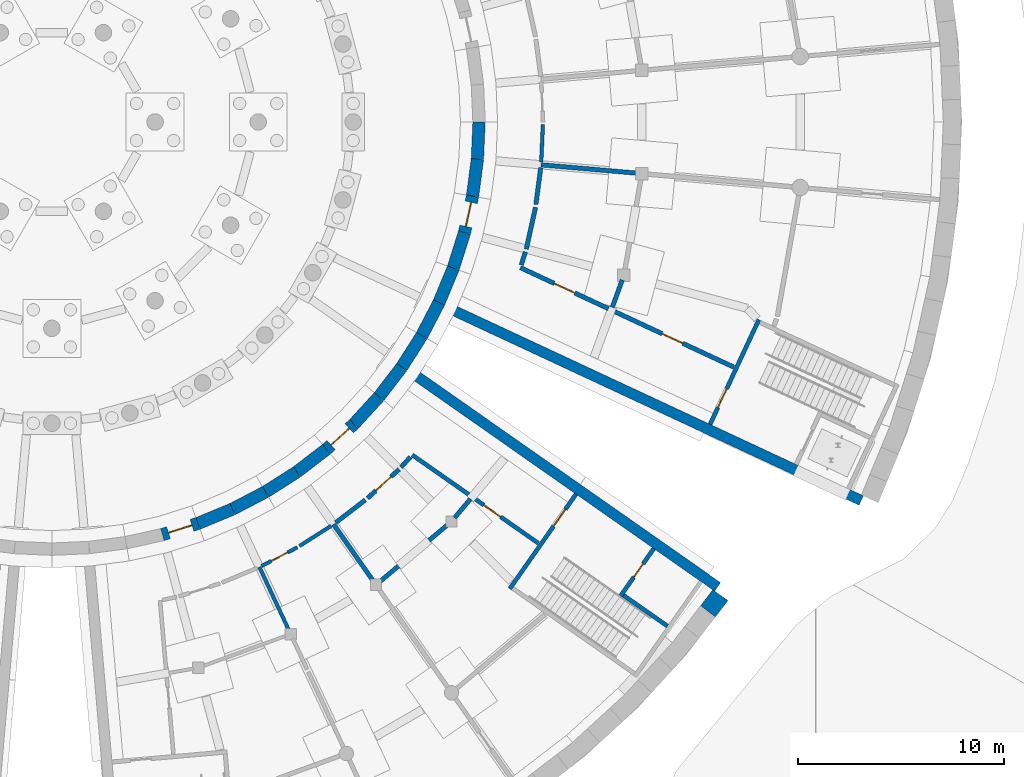
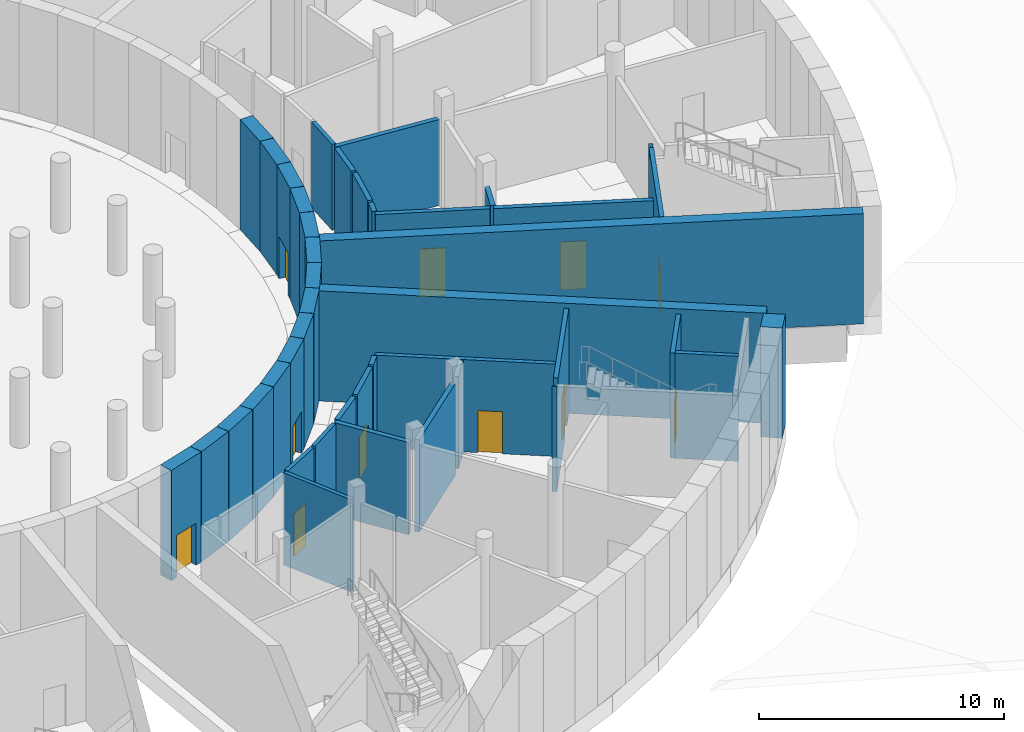
# One storey, part 41 of 65: 40 walls, 11 doors, 11 openings.
"""IFC4 building model written with IfcOpenShell, lengths in metres."""

from ifc_helpers import new_model, si_unit, direction, frame, frame_2d, origin, place, context, subcontext, project, spatial, polyline, rectangle, outline, extrude, material, layer, layer_set, type_object, element, fill, save


model = new_model("IFC4")

# Units and contexts
model_context = context("Model", 3, precision=1e-05, world=origin(), true_north=direction((0.0, 1.0)))
body_context = subcontext(model_context, "Body", "Model", "MODEL_VIEW")
ifc_project = project(units=[si_unit("LENGTHUNIT", "METRE"), si_unit("AREAUNIT", "SQUARE_METRE"), si_unit("VOLUMEUNIT", "CUBIC_METRE"), si_unit("PLANEANGLEUNIT", "RADIAN"), si_unit("MASSUNIT", "GRAM", prefix="KILO")], contexts=[model_context])

# Site, building, storey
site_placement = place(None, origin())
site = spatial("IfcSite", under=ifc_project, at=site_placement, CompositionType="ELEMENT")
building_placement = place(site_placement, origin())
building = spatial("IfcBuilding", under=site, at=building_placement, Name="Volute Hill Aquarium", CompositionType="ELEMENT")
storey_placement = place(building_placement, frame((0.0, 0.0, -5.5)))
storey = spatial("IfcBuildingStorey", under=building, at=storey_placement, Name="L00", CompositionType="ELEMENT", Elevation=-5.5)

# Wall, opening, door
ifc_material_1 = material(Name="Concrete C30/37", Category="concrete")
ifc_layer_1 = layer(ifc_material_1, 0.199951171875)
ifc_layer_set_1 = layer_set([ifc_layer_1], Name="Core wall 200 REI 60")
wall_type_1 = type_object("IfcWallType", Name="Core wall 200 REI 60", PredefinedType="SHEAR", material=ifc_layer_set_1)
wall_1_placement = place(storey_placement, frame((25.40185546875, -18.03076171875, 0.0), z_axis=(0.0, 0.0, 1.0), x_axis=(-0.573599855614, -0.819135645446, 0.0)))
wall_1 = element("IfcWall", 1, at=wall_1_placement, inside=storey, type_object=wall_type_1, Name="wc/S3-B/L00/in", PredefinedType="SHEAR", context=body_context, shape_type="SweptSolid", body=[
    extrude(outline(polyline([(0.0, 0.0), (5.60009765625, 0.0), (5.60009765625, 5.25), (5.574951171875, 5.25), (5.52490234375, 4.679931640625), (5.02490234375, 4.679931640625), (4.97509765625, 5.25), (0.0, 5.25), (0.0, 0.0)])), frame((0.0, 0.10009765625, 0.0), z_axis=(0.0, -1.0, 0.0), x_axis=(1.0, 0.0, 0.0)), (0.0, 0.0, 1.0), 0.199951171875),
])
opening_1_placement = place(wall_1_placement, frame((0.89990234375, 0.0, 0.0)))
opening_1 = element("IfcOpeningElement", 2, at=opening_1_placement, cuts=wall_1, Name="Opening D3.00.BS", PredefinedType="OPENING", context=body_context, shape_type="SweptSolid", body=[
    extrude(rectangle(XDim=1.0, YDim=2.10009765625, at=frame_2d((0.5, 1.050048828125))), frame((0.0, 0.10986328125, 0.0), z_axis=(0.0, -1.0, 0.0), x_axis=(1.0, 0.0, 0.0)), (0.0, 0.0, 1.0), 0.219970703125),
])
ifc_material_2 = material(Name="Timber, fire-rated", Category="wood")
door_type_1 = type_object("IfcDoorType", Name="Door 1000 x 2100 single EI1 30", OperationType="SINGLE_SWING_LEFT", PredefinedType="DOOR", material=ifc_material_2)
door_1_placement = place(opening_1_placement, origin())
door_1 = element("IfcDoor", 3, at=door_1_placement, inside=storey, type_object=door_type_1, Name="d/S3-B/L00/st", OperationType="SINGLE_SWING_RIGHT", OverallHeight=2.10009765625, OverallWidth=1.0, PredefinedType="DOOR", context=body_context, shape_type="SweptSolid", body=[
    extrude(rectangle(XDim=1.0, YDim=2.10009765625, at=frame_2d((0.5, 1.050048828125))), frame((0.0, 0.02490234375, 0.0), z_axis=(0.0, -1.0, 0.0), x_axis=(1.0, 0.0, 0.0)), (0.0, 0.0, 1.0), 0.050048828125),
])
fill(opening_1, door_1)

wall_2_placement = place(storey_placement, frame((31.89599609375, -14.652587890625, 0.0), z_axis=(0.0, 0.0, 1.0), x_axis=(0.422632457081, 0.906301167505, 0.0)))
wall_2 = element("IfcWall", 4, at=wall_2_placement, inside=storey, type_object=wall_type_1, Name="wc/S4-A/L00/in", PredefinedType="SHEAR", context=body_context, shape_type="SweptSolid", body=[
    extrude(outline(polyline([(0.0, 0.0), (5.599853515625, 0.0), (5.60009765625, 5.25), (5.550048828125, 4.610107421875), (5.35009765625, 4.610107421875), (5.300048828125, 5.25), (0.0, 5.25), (0.0, 0.0)])), frame((0.0, 0.10009765625, 0.0), z_axis=(0.0, -1.0, 0.0), x_axis=(1.0, 0.0, 0.0)), (0.0, 0.0, 1.0), 0.199951171875),
])
opening_2_placement = place(wall_2_placement, frame((0.89990234375, 0.0, 0.0)))
opening_2 = element("IfcOpeningElement", 5, at=opening_2_placement, cuts=wall_2, Name="Opening D4.00.AS", PredefinedType="OPENING", context=body_context, shape_type="SweptSolid", body=[
    extrude(rectangle(XDim=1.0, YDim=2.10009765625, at=frame_2d((0.5, 1.050048828125))), frame((0.0, 0.10986328125, 0.0), z_axis=(0.0, -1.0, 0.0), x_axis=(1.0, 0.0, 0.0)), (0.0, 0.0, 1.0), 0.219970703125),
])
door_2_placement = place(opening_2_placement, origin())
door_2 = element("IfcDoor", 6, at=door_2_placement, inside=storey, type_object=door_type_1, Name="d/S4-A/L00/st", OperationType="SINGLE_SWING_RIGHT", OverallHeight=2.10009765625, OverallWidth=1.0, PredefinedType="DOOR", context=body_context, shape_type="SweptSolid", body=[
    extrude(rectangle(XDim=1.0, YDim=2.10009765625, at=frame_2d((0.5, 1.050048828125))), frame((0.0, 0.02490234375, 0.0), z_axis=(0.0, -1.0, 0.0), x_axis=(1.0, 0.0, 0.0)), (0.0, 0.0, 1.0), 0.050048828125),
])
fill(opening_2, door_2)

# Wall
ifc_material_3 = material(Name="Gypsum board on steel studs", Category="steel")
ifc_layer_2 = layer(ifc_material_3, 0.175048828125)
ifc_layer_set_2 = layer_set([ifc_layer_2], Name="Corridor partition 175 EI 60")
wall_type_2 = type_object("IfcWallType", Name="Corridor partition 175 EI 60", PredefinedType="PARTITIONING", material=ifc_layer_set_2)
wall_3_placement = place(storey_placement, frame((11.471435546875, -24.6005859375, 0.0), z_axis=(0.0, 0.0, 1.0), x_axis=(-0.422601651571, 0.906315532301, 0.0)))
element("IfcWall", 7, at=wall_3_placement, inside=storey, type_object=wall_type_2, Name="pw/S3/L00/011", PredefinedType="PARTITIONING", context=body_context, shape_type="SweptSolid", body=[
    extrude(rectangle(XDim=3.34375, YDim=0.175048828125, at=frame_2d((1.671875, 0.0))), origin(), (0.0, 0.0, 1.0), 4.610107421875),
])

# Wall, opening, door
wall_4_placement = place(storey_placement, frame((11.89990234375, -20.611328125, 0.0), z_axis=(0.0, 0.0, 1.0), x_axis=(-0.886977909213, -0.46181185408, 0.0)))
wall_4 = element("IfcWall", 8, at=wall_4_placement, inside=storey, type_object=wall_type_2, Name="pw/S3/L00/014", PredefinedType="PARTITIONING", context=body_context, shape_type="SweptSolid", body=[
    extrude(rectangle(XDim=1.958740234375, YDim=0.175048828125, at=frame_2d((0.9794921875, 0.0))), origin(), (0.0, 0.0, 1.0), 4.610107421875),
])
opening_3_placement = place(wall_4_placement, frame((0.529296875, 0.0, 0.0)))
opening_3 = element("IfcOpeningElement", 9, at=opening_3_placement, cuts=wall_4, Name="Opening D3.00.01", PredefinedType="OPENING", context=body_context, shape_type="SweptSolid", body=[
    extrude(rectangle(XDim=0.89990234375, YDim=2.10009765625, at=frame_2d((0.449951171875, 1.050048828125))), frame((0.0, 0.097412109375, 0.0), z_axis=(0.0, -1.0, 0.0), x_axis=(1.0, 0.0, 0.0)), (0.0, 0.0, 1.0), 0.195068359375),
])
ifc_material_4 = material(Name="Timber, fire-rated", Category="wood")
door_type_2 = type_object("IfcDoorType", Name="Door 900 x 2100 wc single EI1 30", OperationType="SINGLE_SWING_LEFT", PredefinedType="DOOR", material=ifc_material_4)
door_3_placement = place(opening_3_placement, origin())
door_3 = element("IfcDoor", 10, at=door_3_placement, inside=storey, type_object=door_type_2, Name="d/S3/L00/01", OperationType="SINGLE_SWING_LEFT", OverallHeight=2.10009765625, OverallWidth=0.89990234375, PredefinedType="DOOR", context=body_context, shape_type="SweptSolid", body=[
    extrude(rectangle(XDim=0.89990234375, YDim=2.10009765625, at=frame_2d((0.449951171875, 1.050048828125))), frame((0.0, 0.02490234375, 0.0), z_axis=(0.0, -1.0, 0.0), x_axis=(1.0, 0.0, 0.0)), (0.0, 0.0, 1.0), 0.050048828125),
])
fill(opening_3, door_3)

# Walls
wall_5_placement = place(storey_placement, frame((13.53515625, -19.569580078125, 0.0), z_axis=(0.0, 0.0, 1.0), x_axis=(-0.843357799578, -0.537352418708, 0.0)))
element("IfcWall", 11, at=wall_5_placement, inside=storey, type_object=wall_type_2, Name="pw/S3/L00/016", PredefinedType="PARTITIONING", context=body_context, shape_type="SweptSolid", body=[
    extrude(rectangle(XDim=1.821533203125, YDim=0.175048828125, at=frame_2d((0.91064453125, 0.0))), origin(), (0.0, 0.0, 1.0), 4.610107421875),
])
wall_6_placement = place(storey_placement, frame((23.794921875, -0.117431640625, 0.0), z_axis=(0.0, 0.0, 1.0), x_axis=(-0.043698991836, -0.999044742798, 0.0)))
element("IfcWall", 12, at=wall_6_placement, inside=storey, type_object=wall_type_2, Name="pw/S4/L00/018", PredefinedType="PARTITIONING", context=body_context, shape_type="SweptSolid", body=[
    extrude(rectangle(XDim=1.8212890625, YDim=0.175048828125, at=frame_2d((0.91064453125, 0.0))), origin(), (0.0, 0.0, 1.0), 4.2900390625),
])

# Wall, opening, door
ifc_material_5 = material(Name="Concrete C35/45", Category="concrete")
ifc_layer_3 = layer(ifc_material_5, 0.60009765625)
ifc_layer_set_3 = layer_set([ifc_layer_3], Name="Drum wall C35/45 600")
wall_type_3 = type_object("IfcWallType", Name="Drum wall C35/45 600", PredefinedType="SHEAR", material=ifc_layer_set_3)
wall_7_placement = place(storey_placement, frame((5.357666015625, -19.99462890625, 0.0), z_axis=(0.0, 0.0, 1.0), x_axis=(0.953721512733, 0.300691330354, 0.0)))
wall_7 = element("IfcWall", 13, at=wall_7_placement, inside=storey, type_object=wall_type_3, Name="sw/DR/L00/57", PredefinedType="SHEAR", context=body_context, shape_type="SweptSolid", body=[
    extrude(rectangle(XDim=1.8056640625, YDim=0.60009765625, at=frame_2d((0.90283203125, 0.0))), origin(), (0.0, 0.0, 1.0), 5.5),
])
opening_4_placement = place(wall_7_placement, frame((0.302978515625, 0.0, 0.0)))
opening_4 = element("IfcOpeningElement", 14, at=opening_4_placement, cuts=wall_7, Name="Opening D3.00.R1", PredefinedType="OPENING", context=body_context, shape_type="SweptSolid", body=[
    extrude(rectangle(XDim=1.199951171875, YDim=2.10009765625, at=frame_2d((0.60009765625, 1.050048828125))), frame((0.0, 0.31005859375, 0.0), z_axis=(0.0, -1.0, 0.0), x_axis=(1.0, 0.0, 0.0)), (0.0, 0.0, 1.0), 0.6201171875),
])
ifc_material_6 = material(Name="Timber, fire-rated", Category="wood")
door_type_3 = type_object("IfcDoorType", Name="Door 1200 x 2100 drum double EI1 30", OperationType="DOUBLE_DOOR_SINGLE_SWING", PredefinedType="DOOR", material=ifc_material_6)
door_4_placement = place(opening_4_placement, origin())
door_4 = element("IfcDoor", 15, at=door_4_placement, inside=storey, type_object=door_type_3, Name="d/S3/L00/dr1", OperationType="SINGLE_SWING_LEFT", OverallHeight=2.10009765625, OverallWidth=1.199951171875, PredefinedType="DOOR", context=body_context, shape_type="SweptSolid", body=[
    extrude(rectangle(XDim=1.199951171875, YDim=2.10009765625, at=frame_2d((0.60009765625, 1.050048828125))), frame((0.0, 0.02490234375, 0.0), z_axis=(0.0, -1.0, 0.0), x_axis=(1.0, 0.0, 0.0)), (0.0, 0.0, 1.0), 0.050048828125),
])
fill(opening_4, door_4)

# Walls
for number, where, z_axis, x_axis, name in (
    (16, (7.079833984375, -19.45166015625, 0.0), (0.0, 0.0, 1.0), (0.923866889322, 0.382713954298, 0.0), "sw/DR/L00/58"),
    (17, (8.748291015625, -18.760498046875, 0.0), (0.0, 0.0, 1.0), (0.887035219654, 0.461701764231, 0.0), "sw/DR/L00/59"),
    (18, (10.35009765625, -17.9267578125, 0.0), (0.0, 0.0, 1.0), (0.843332890803, 0.537391510251, 0.0), "sw/DR/L00/60"),
):
    element("IfcWall", number, at=place(storey_placement, frame(where, z_axis=z_axis, x_axis=x_axis)), inside=storey, type_object=wall_type_3, Name=name, PredefinedType="SHEAR", context=body_context, shape_type="SweptSolid", body=[
        extrude(rectangle(XDim=1.805908203125, YDim=0.60009765625, at=frame_2d((0.90283203125, 0.0))), origin(), (0.0, 0.0, 1.0), 5.5),
    ])
wall_8_placement = place(storey_placement, frame((11.873046875, -16.956298828125, 0.0), z_axis=(0.0, 0.0, 1.0), x_axis=(0.793397400526, 0.608704004289, 0.0)))
element("IfcWall", 19, at=wall_8_placement, inside=storey, type_object=wall_type_3, Name="sw/DR/L00/61", PredefinedType="SHEAR", context=body_context, shape_type="SweptSolid", body=[
    extrude(rectangle(XDim=1.8056640625, YDim=0.60009765625, at=frame_2d((0.90283203125, 0.0))), origin(), (0.0, 0.0, 1.0), 5.5),
])

# Wall, opening, door
wall_9_placement = place(storey_placement, frame((13.3056640625, -15.857177734375, 0.0), z_axis=(0.0, 0.0, 1.0), x_axis=(0.737322466268, 0.675540954152, 0.0)))
wall_9 = element("IfcWall", 20, at=wall_9_placement, inside=storey, type_object=wall_type_3, Name="sw/DR/L00/62", PredefinedType="SHEAR", context=body_context, shape_type="SweptSolid", body=[
    extrude(rectangle(XDim=1.805908203125, YDim=0.60009765625, at=frame_2d((0.90283203125, 0.0))), origin(), (0.0, 0.0, 1.0), 5.5),
])
opening_5_placement = place(wall_9_placement, frame((0.302978515625, 0.0, 0.0)))
opening_5 = element("IfcOpeningElement", 21, at=opening_5_placement, cuts=wall_9, Name="Opening D3.00.R2", PredefinedType="OPENING", context=body_context, shape_type="SweptSolid", body=[
    extrude(rectangle(XDim=1.199951171875, YDim=2.10009765625, at=frame_2d((0.60009765625, 1.050048828125))), frame((0.0, 0.31005859375, 0.0), z_axis=(0.0, -1.0, 0.0), x_axis=(1.0, 0.0, 0.0)), (0.0, 0.0, 1.0), 0.6201171875),
])
door_5_placement = place(opening_5_placement, origin())
door_5 = element("IfcDoor", 22, at=door_5_placement, inside=storey, type_object=door_type_3, Name="d/S3/L00/dr2", OperationType="SINGLE_SWING_LEFT", OverallHeight=2.10009765625, OverallWidth=1.199951171875, PredefinedType="DOOR", context=body_context, shape_type="SweptSolid", body=[
    extrude(rectangle(XDim=1.199951171875, YDim=2.10009765625, at=frame_2d((0.60009765625, 1.050048828125))), frame((0.0, 0.02490234375, 0.0), z_axis=(0.0, -1.0, 0.0), x_axis=(1.0, 0.0, 0.0)), (0.0, 0.0, 1.0), 0.050048828125),
])
fill(opening_5, door_5)

# Walls
wall_10_placement = place(storey_placement, frame((14.63720703125, -14.63720703125, 0.0), z_axis=(0.0, 0.0, 1.0), x_axis=(0.675540954152, 0.737322466268, 0.0)))
element("IfcWall", 23, at=wall_10_placement, inside=storey, type_object=wall_type_3, Name="sw/DR/L00/63", PredefinedType="SHEAR", context=body_context, shape_type="SweptSolid", body=[
    extrude(rectangle(XDim=1.805908203125, YDim=0.60009765625, at=frame_2d((0.90283203125, 0.0))), origin(), (0.0, 0.0, 1.0), 5.5),
])
wall_11_placement = place(storey_placement, frame((15.857177734375, -13.3056640625, 0.0), z_axis=(0.0, 0.0, 1.0), x_axis=(0.608704004289, 0.793397400526, 0.0)))
element("IfcWall", 24, at=wall_11_placement, inside=storey, type_object=wall_type_3, Name="sw/DR/L00/64", PredefinedType="SHEAR", context=body_context, shape_type="SweptSolid", body=[
    extrude(rectangle(XDim=1.8056640625, YDim=0.60009765625, at=frame_2d((0.90283203125, 0.0))), origin(), (0.0, 0.0, 1.0), 5.5),
])
for number, where, z_axis, x_axis, name in (
    (25, (16.956298828125, -11.873046875, 0.0), (0.0, 0.0, 1.0), (0.537391510251, 0.843332890803, 0.0), "sw/DR/L00/65"),
    (26, (17.9267578125, -10.35009765625, 0.0), (0.0, 0.0, 1.0), (0.461701764231, 0.887035219654, 0.0), "sw/DR/L00/66"),
    (27, (18.760498046875, -8.748291015625, 0.0), (0.0, 0.0, 1.0), (0.382713954298, 0.923866889322, 0.0), "sw/DR/L00/67"),
):
    element("IfcWall", number, at=place(storey_placement, frame(where, z_axis=z_axis, x_axis=x_axis)), inside=storey, type_object=wall_type_3, Name=name, PredefinedType="SHEAR", context=body_context, shape_type="SweptSolid", body=[
        extrude(rectangle(XDim=1.805908203125, YDim=0.60009765625, at=frame_2d((0.90283203125, 0.0))), origin(), (0.0, 0.0, 1.0), 5.5),
    ])
wall_12_placement = place(storey_placement, frame((19.45166015625, -7.079833984375, 0.0), z_axis=(0.0, 0.0, 1.0), x_axis=(0.300691330354, 0.953721512733, 0.0)))
element("IfcWall", 28, at=wall_12_placement, inside=storey, type_object=wall_type_3, Name="sw/DR/L00/68", PredefinedType="SHEAR", context=body_context, shape_type="SweptSolid", body=[
    extrude(rectangle(XDim=1.8056640625, YDim=0.60009765625, at=frame_2d((0.90283203125, 0.0))), origin(), (0.0, 0.0, 1.0), 5.5),
])

# Wall, opening, door
wall_13_placement = place(storey_placement, frame((19.99462890625, -5.357666015625, 0.0), z_axis=(0.0, 0.0, 1.0), x_axis=(0.216429453554, 0.976298259567, 0.0)))
wall_13 = element("IfcWall", 29, at=wall_13_placement, inside=storey, type_object=wall_type_3, Name="sw/DR/L00/69", PredefinedType="SHEAR", context=body_context, shape_type="SweptSolid", body=[
    extrude(rectangle(XDim=1.805908203125, YDim=0.60009765625, at=frame_2d((0.90283203125, 0.0))), origin(), (0.0, 0.0, 1.0), 5.5),
])
opening_6_placement = place(wall_13_placement, frame((0.302978515625, 0.0, 0.0)))
opening_6 = element("IfcOpeningElement", 30, at=opening_6_placement, cuts=wall_13, Name="Opening D4.00.R1", PredefinedType="OPENING", context=body_context, shape_type="SweptSolid", body=[
    extrude(rectangle(XDim=1.199951171875, YDim=2.10009765625, at=frame_2d((0.60009765625, 1.050048828125))), frame((0.0, 0.31005859375, 0.0), z_axis=(0.0, -1.0, 0.0), x_axis=(1.0, 0.0, 0.0)), (0.0, 0.0, 1.0), 0.6201171875),
])
door_6_placement = place(opening_6_placement, origin())
door_6 = element("IfcDoor", 31, at=door_6_placement, inside=storey, type_object=door_type_3, Name="d/S4/L00/dr1", OperationType="SINGLE_SWING_LEFT", OverallHeight=2.10009765625, OverallWidth=1.199951171875, PredefinedType="DOOR", context=body_context, shape_type="SweptSolid", body=[
    extrude(rectangle(XDim=1.199951171875, YDim=2.10009765625, at=frame_2d((0.60009765625, 1.050048828125))), frame((0.0, 0.02490234375, 0.0), z_axis=(0.0, -1.0, 0.0), x_axis=(1.0, 0.0, 0.0)), (0.0, 0.0, 1.0), 0.050048828125),
])
fill(opening_6, door_6)

# Walls
wall_14_placement = place(storey_placement, frame((20.385498046875, -3.594482421875, 0.0), z_axis=(0.0, 0.0, 1.0), x_axis=(0.130471999813, 0.991451994433, 0.0)))
element("IfcWall", 32, at=wall_14_placement, inside=storey, type_object=wall_type_3, Name="sw/DR/L00/70", PredefinedType="SHEAR", context=body_context, shape_type="SweptSolid", body=[
    extrude(rectangle(XDim=1.8056640625, YDim=0.60009765625, at=frame_2d((0.90283203125, 0.0))), origin(), (0.0, 0.0, 1.0), 5.5),
])
wall_15_placement = place(storey_placement, frame((20.62109375, -1.80419921875, 0.0), z_axis=(0.0, 0.0, 1.0), x_axis=(0.043666024022, 0.999046184291, 0.0)))
element("IfcWall", 33, at=wall_15_placement, inside=storey, type_object=wall_type_3, Name="sw/DR/L00/71", PredefinedType="SHEAR", context=body_context, shape_type="SweptSolid", body=[
    extrude(rectangle(XDim=1.805908203125, YDim=0.60009765625, at=frame_2d((0.90283203125, 0.0))), origin(), (0.0, 0.0, 1.0), 5.5),
])
ifc_material_7 = material(Name="Concrete C35/45", Category="concrete")
ifc_layer_4 = layer(ifc_material_7, 0.5)
ifc_layer_set_4 = layer_set([ifc_layer_4], Name="End wall 500 C35/45")
wall_type_4 = type_object("IfcWallType", Name="End wall 500 C35/45", PredefinedType="SHEAR", material=ifc_layer_set_4)
wall_16_placement = place(storey_placement, frame((17.14892578125, -11.94677734375, 0.0), z_axis=(0.0, 0.0, 1.0), x_axis=(0.819149852352, -0.573579566749, 0.0)))
element("IfcWall", 34, at=wall_16_placement, inside=storey, type_object=wall_type_4, Name="sw/S3/L00/endB", PredefinedType="SHEAR", context=body_context, shape_type="SweptSolid", body=[
    extrude(rectangle(XDim=18.449951171875, YDim=0.5, at=frame_2d((9.22509765625, 0.0))), origin(), (0.0, 0.0, 1.0), 5.5),
])
wall_17_placement = place(storey_placement, frame((18.920654296875, -8.8779296875, 0.0), z_axis=(0.0, 0.0, 1.0), x_axis=(0.906305061028, -0.422624107637, 0.0)))
element("IfcWall", 35, at=wall_17_placement, inside=storey, type_object=wall_type_4, Name="sw/S4/L00/endA", PredefinedType="SHEAR", context=body_context, shape_type="SweptSolid", body=[
    extrude(rectangle(XDim=22.400146484375, YDim=0.5, at=frame_2d((11.2001953125, 0.0))), origin(), (0.0, 0.0, 1.0), 5.5),
])

# Wall, opening, door
ifc_material_8 = material(Name="Masonry blockwork", Category="masonry")
ifc_layer_5 = layer(ifc_material_8, 0.199951171875)
ifc_layer_set_5 = layer_set([ifc_layer_5], Name="Fire partition 200 EI 60")
wall_type_5 = type_object("IfcWallType", Name="Fire partition 200 EI 60", PredefinedType="PARTITIONING", material=ifc_layer_set_5)
wall_18_placement = place(storey_placement, frame((23.57470703125, -20.41357421875, 0.0), z_axis=(0.0, 0.0, 1.0), x_axis=(-0.819168869171, 0.573552407179, 0.0)))
wall_18 = element("IfcWall", 36, at=wall_18_placement, inside=storey, type_object=wall_type_5, Name="pw/S3/L00/001", PredefinedType="PARTITIONING", context=body_context, shape_type="SweptSolid", body=[
    extrude(rectangle(XDim=7.458984375, YDim=0.199951171875, at=frame_2d((3.7294921875, 0.0))), origin(), (0.0, 0.0, 1.0), 4.610107421875),
])
opening_7_placement = place(wall_18_placement, frame((2.2294921875, 0.0, 0.0)))
opening_7 = element("IfcOpeningElement", 37, at=opening_7_placement, cuts=wall_18, Name="Opening D3.00.05", PredefinedType="OPENING", context=body_context, shape_type="SweptSolid", body=[
    extrude(rectangle(XDim=1.0, YDim=2.10009765625, at=frame_2d((0.5, 1.050048828125))), frame((0.0, 0.10986328125, 0.0), z_axis=(0.0, -1.0, 0.0), x_axis=(1.0, 0.0, 0.0)), (0.0, 0.0, 1.0), 0.219970703125),
])
door_7_placement = place(opening_7_placement, origin())
door_7 = element("IfcDoor", 38, at=door_7_placement, inside=storey, type_object=door_type_1, Name="d/S3/L00/05", OperationType="SINGLE_SWING_LEFT", OverallHeight=2.10009765625, OverallWidth=1.0, PredefinedType="DOOR", context=body_context, shape_type="SweptSolid", body=[
    extrude(rectangle(XDim=1.0, YDim=2.10009765625, at=frame_2d((0.5, 1.050048828125))), frame((0.0, 0.02490234375, 0.0), z_axis=(0.0, -1.0, 0.0), x_axis=(1.0, 0.0, 0.0)), (0.0, 0.0, 1.0), 0.050048828125),
])
fill(opening_7, door_7)

# Walls
ifc_material_9 = material(Name="Precast concrete C40/50", Category="concrete")
ifc_layer_6 = layer(ifc_material_9, 0.89990234375)
ifc_layer_set_6 = layer_set([ifc_layer_6], Name="Outer pier precast concrete C40/50 900")
wall_type_6 = type_object("IfcWallType", Name="Outer pier precast concrete C40/50 900", PredefinedType="NOTDEFINED", material=ifc_layer_set_6)
wall_19_placement = place(storey_placement, origin())
element("IfcWall", 39, at=wall_19_placement, inside=storey, type_object=wall_type_6, Name="Outer pier OWP S3 L00 11", PredefinedType="NOTDEFINED", context=body_context, shape_type="SweptSolid", body=[
    extrude(outline(polyline([(31.440673828125, -23.43896484375), (32.154541015625, -23.98681640625), (32.767333984375, -23.188232421875), (32.029541015625, -22.67138671875), (31.440673828125, -23.43896484375)])), origin(), (0.0, 0.0, 1.0), 5.5),
])
ifc_material_10 = material(Name="Masonry blockwork", Category="masonry")
ifc_layer_7 = layer(ifc_material_10, 0.215087890625)
ifc_layer_set_7 = layer_set([ifc_layer_7], Name="Plant room wall 215 EI 60")
wall_type_7 = type_object("IfcWallType", Name="Plant room wall 215 EI 60", PredefinedType="PARTITIONING", material=ifc_layer_set_7)
wall_20_placement = place(storey_placement, frame((19.17919921875, -19.51708984375, 0.0), z_axis=(0.0, 0.0, 1.0), x_axis=(-0.766054249298, -0.642775922956, 0.0)))
element("IfcWall", 40, at=wall_20_placement, inside=storey, type_object=wall_type_7, Name="pw/S3/L00/009", PredefinedType="PARTITIONING", context=body_context, shape_type="SweptSolid", body=[
    extrude(rectangle(XDim=4.29345703125, YDim=0.215087890625, at=frame_2d((2.146728515625, 0.0))), origin(), (0.0, 0.0, 1.0), 4.610107421875),
])
wall_21_placement = place(storey_placement, frame((15.56884765625, -22.234619140625, 0.0), z_axis=(0.0, 0.0, 1.0), x_axis=(-0.573579956171, 0.819149579673, 0.0)))
element("IfcWall", 41, at=wall_21_placement, inside=storey, type_object=wall_type_7, Name="pw/S3/L00/012", PredefinedType="PARTITIONING", context=body_context, shape_type="SweptSolid", body=[
    extrude(rectangle(XDim=3.343505859375, YDim=0.215087890625, at=frame_2d((1.671875, 0.0))), origin(), (0.0, 0.0, 1.0), 4.610107421875),
])

# Wall, opening, door
wall_22_placement = place(storey_placement, frame((16.8291015625, -16.8291015625, 0.0), z_axis=(0.0, 0.0, 1.0), x_axis=(-0.737241988031, -0.675628782013, 0.0)))
wall_22 = element("IfcWall", 42, at=wall_22_placement, inside=storey, type_object=wall_type_7, Name="pw/S3/L00/013", PredefinedType="PARTITIONING", context=body_context, shape_type="SweptSolid", body=[
    extrude(rectangle(XDim=2.076416015625, YDim=0.215087890625, at=frame_2d((1.0380859375, 0.0))), origin(), (0.0, 0.0, 1.0), 4.610107421875),
])
opening_8_placement = place(wall_22_placement, frame((0.5380859375, 0.0, 0.0)))
opening_8 = element("IfcOpeningElement", 43, at=opening_8_placement, cuts=wall_22, Name="Opening D3.00.04", PredefinedType="OPENING", context=body_context, shape_type="SweptSolid", body=[
    extrude(rectangle(XDim=1.0, YDim=2.10009765625, at=frame_2d((0.5, 1.050048828125))), frame((0.0, 0.117431640625, 0.0), z_axis=(0.0, -1.0, 0.0), x_axis=(1.0, 0.0, 0.0)), (0.0, 0.0, 1.0), 0.235107421875),
])
door_8_placement = place(opening_8_placement, origin())
door_8 = element("IfcDoor", 44, at=door_8_placement, inside=storey, type_object=door_type_1, Name="d/S3/L00/04", OperationType="SINGLE_SWING_RIGHT", OverallHeight=2.10009765625, OverallWidth=1.0, PredefinedType="DOOR", context=body_context, shape_type="SweptSolid", body=[
    extrude(rectangle(XDim=1.0, YDim=2.10009765625, at=frame_2d((0.5, 1.050048828125))), frame((0.0, 0.02490234375, 0.0), z_axis=(0.0, -1.0, 0.0), x_axis=(1.0, 0.0, 0.0)), (0.0, 0.0, 1.0), 0.050048828125),
])
fill(opening_8, door_8)

# Walls
wall_23_placement = place(storey_placement, frame((15.189208984375, -18.315673828125, 0.0), z_axis=(0.0, 0.0, 1.0), x_axis=(-0.793364132735, -0.608747363764, 0.0)))
element("IfcWall", 45, at=wall_23_placement, inside=storey, type_object=wall_type_7, Name="pw/S3/L00/018", PredefinedType="PARTITIONING", context=body_context, shape_type="SweptSolid", body=[
    extrude(rectangle(XDim=1.801025390625, YDim=0.215087890625, at=frame_2d((0.900390625, 0.0))), origin(), (0.0, 0.0, 1.0), 4.610107421875),
])
wall_24_placement = place(storey_placement, frame((20.28271484375, -18.266845703125, 0.0), z_axis=(0.0, 0.0, 1.0), x_axis=(-0.642821852443, -0.766015708731, 0.0)))
element("IfcWall", 46, at=wall_24_placement, inside=storey, type_object=wall_type_7, Name="pw/S3/L00/021", PredefinedType="PARTITIONING", context=body_context, shape_type="SweptSolid", body=[
    extrude(rectangle(XDim=1.19091796875, YDim=0.215087890625, at=frame_2d((0.595458984375, 0.0))), origin(), (0.0, 0.0, 1.0), 4.610107421875),
])
wall_25_placement = place(storey_placement, frame((17.376953125, -16.231201171875, 0.0), z_axis=(0.0, 0.0, 1.0), x_axis=(-0.675429062462, -0.737424966746, 0.0)))
element("IfcWall", 47, at=wall_25_placement, inside=storey, type_object=wall_type_7, Name="pw/S3/L00/023", PredefinedType="PARTITIONING", context=body_context, shape_type="SweptSolid", body=[
    extrude(rectangle(XDim=0.67333984375, YDim=0.215087890625, at=frame_2d((0.336669921875, 0.0))), origin(), (0.0, 0.0, 1.0), 4.610107421875),
])

# Wall, opening, door
wall_26_placement = place(storey_placement, frame((27.109619140625, -9.110595703125, 0.0), z_axis=(0.0, 0.0, 1.0), x_axis=(0.906297375057, -0.422640589585, 0.0)))
wall_26 = element("IfcWall", 48, at=wall_26_placement, inside=storey, type_object=wall_type_7, Name="pw/S4/L00/004", PredefinedType="PARTITIONING", context=body_context, shape_type="SweptSolid", body=[
    extrude(rectangle(XDim=6.550048828125, YDim=0.215087890625, at=frame_2d((3.27490234375, 0.0))), origin(), (0.0, 0.0, 1.0), 4.2900390625),
])
opening_9_placement = place(wall_26_placement, frame((2.72509765625, 0.0, 0.0)))
opening_9 = element("IfcOpeningElement", 49, at=opening_9_placement, cuts=wall_26, Name="Opening D4.00.03", PredefinedType="OPENING", context=body_context, shape_type="SweptSolid", body=[
    extrude(rectangle(XDim=1.10009765625, YDim=2.39990234375, at=frame_2d((0.550048828125, 1.199951171875))), frame((0.0, 0.117431640625, 0.0), z_axis=(0.0, -1.0, 0.0), x_axis=(1.0, 0.0, 0.0)), (0.0, 0.0, 1.0), 0.235107421875),
])
ifc_material_11 = material(Name="Steel, fire-rated", Category="steel")
door_type_4 = type_object("IfcDoorType", Name="Door 1100 x 2400 plant room EI1 30", OperationType="SINGLE_SWING_LEFT", PredefinedType="DOOR", material=ifc_material_11)
door_9_placement = place(opening_9_placement, origin())
door_9 = element("IfcDoor", 50, at=door_9_placement, inside=storey, type_object=door_type_4, Name="d/S4/L00/03", OperationType="SINGLE_SWING_LEFT", OverallHeight=2.39990234375, OverallWidth=1.10009765625, PredefinedType="DOOR", context=body_context, shape_type="SweptSolid", body=[
    extrude(rectangle(XDim=1.10009765625, YDim=2.39990234375, at=frame_2d((0.550048828125, 1.199951171875))), frame((0.0, 0.02490234375, 0.0), z_axis=(0.0, -1.0, 0.0), x_axis=(1.0, 0.0, 0.0)), (0.0, 0.0, 1.0), 0.050048828125),
])
fill(opening_9, door_9)

wall_27_placement = place(storey_placement, frame((22.7060546875, -7.057373046875, 0.0), z_axis=(0.0, 0.0, 1.0), x_axis=(0.906308936169, -0.422615797409, 0.0)))
wall_27 = element("IfcWall", 51, at=wall_27_placement, inside=storey, type_object=wall_type_7, Name="pw/S4/L00/010", PredefinedType="PARTITIONING", context=body_context, shape_type="SweptSolid", body=[
    extrude(rectangle(XDim=4.708740234375, YDim=0.215087890625, at=frame_2d((2.3544921875, 0.0))), origin(), (0.0, 0.0, 1.0), 4.2900390625),
])
opening_10_placement = place(wall_27_placement, frame((1.804443359375, 0.0, 0.0)))
opening_10 = element("IfcOpeningElement", 52, at=opening_10_placement, cuts=wall_27, Name="Opening D4.00.02", PredefinedType="OPENING", context=body_context, shape_type="SweptSolid", body=[
    extrude(rectangle(XDim=1.10009765625, YDim=2.39990234375, at=frame_2d((0.550048828125, 1.199951171875))), frame((0.0, 0.117431640625, 0.0), z_axis=(0.0, -1.0, 0.0), x_axis=(1.0, 0.0, 0.0)), (0.0, 0.0, 1.0), 0.235107421875),
])
door_10_placement = place(opening_10_placement, origin())
door_10 = element("IfcDoor", 53, at=door_10_placement, inside=storey, type_object=door_type_4, Name="d/S4/L00/02", OperationType="SINGLE_SWING_RIGHT", OverallHeight=2.39990234375, OverallWidth=1.10009765625, PredefinedType="DOOR", context=body_context, shape_type="SweptSolid", body=[
    extrude(rectangle(XDim=1.10009765625, YDim=2.39990234375, at=frame_2d((0.550048828125, 1.199951171875))), frame((0.0, 0.02490234375, 0.0), z_axis=(0.0, -1.0, 0.0), x_axis=(1.0, 0.0, 0.0)), (0.0, 0.0, 1.0), 0.050048828125),
])
fill(opening_10, door_10)

# Walls
wall_28_placement = place(storey_placement, frame((23.70947265625, -2.07421875, 0.0), z_axis=(0.0, 0.0, 1.0), x_axis=(0.996192864458, -0.087176698736, 0.0)))
element("IfcWall", 54, at=wall_28_placement, inside=storey, type_object=wall_type_7, Name="pw/S4/L00/011", PredefinedType="PARTITIONING", context=body_context, shape_type="SweptSolid", body=[
    extrude(rectangle(XDim=4.66015625, YDim=0.215087890625, at=frame_2d((2.330078125, 0.0))), origin(), (0.0, 0.0, 1.0), 4.2900390625),
])
wall_29_placement = place(storey_placement, frame((23.4384765625, -4.1328125, 0.0), z_axis=(0.0, 0.0, 1.0), x_axis=(-0.216469786072, -0.97628931763, 0.0)))
element("IfcWall", 55, at=wall_29_placement, inside=storey, type_object=wall_type_7, Name="pw/S4/L00/016", PredefinedType="PARTITIONING", context=body_context, shape_type="SweptSolid", body=[
    extrude(rectangle(XDim=2.076416015625, YDim=0.215087890625, at=frame_2d((1.0380859375, 0.0))), origin(), (0.0, 0.0, 1.0), 4.2900390625),
])
wall_30_placement = place(storey_placement, frame((23.69140625, -2.210693359375, 0.0), z_axis=(0.0, 0.0, 1.0), x_axis=(-0.130521126954, -0.991445528216, 0.0)))
element("IfcWall", 56, at=wall_30_placement, inside=storey, type_object=wall_type_7, Name="pw/S4/L00/020", PredefinedType="PARTITIONING", context=body_context, shape_type="SweptSolid", body=[
    extrude(rectangle(XDim=1.80126953125, YDim=0.215087890625, at=frame_2d((0.900634765625, 0.0))), origin(), (0.0, 0.0, 1.0), 4.2900390625),
])
wall_31_placement = place(storey_placement, frame((27.64013671875, -7.6533203125, 0.0), z_axis=(0.0, 0.0, 1.0), x_axis=(-0.342020437038, -0.939692513883, 0.0)))
element("IfcWall", 57, at=wall_31_placement, inside=storey, type_object=wall_type_7, Name="pw/S4/L00/021", PredefinedType="PARTITIONING", context=body_context, shape_type="SweptSolid", body=[
    extrude(rectangle(XDim=1.413330078125, YDim=0.215087890625, at=frame_2d((0.70654296875, 0.0))), origin(), (0.0, 0.0, 1.0), 4.2900390625),
])
wall_32_placement = place(storey_placement, frame((22.94775390625, -6.291015625, 0.0), z_axis=(0.0, 0.0, 1.0), x_axis=(-0.300903330222, -0.953654647061, 0.0)))
element("IfcWall", 58, at=wall_32_placement, inside=storey, type_object=wall_type_7, Name="pw/S4/L00/024", PredefinedType="PARTITIONING", context=body_context, shape_type="SweptSolid", body=[
    extrude(rectangle(XDim=0.666015625, YDim=0.215087890625, at=frame_2d((0.3330078125, 0.0))), origin(), (0.0, 0.0, 1.0), 4.2900390625),
])

# Wall, opening, door
ifc_material_12 = material(Name="Masonry blockwork", Category="masonry")
ifc_layer_8 = layer(ifc_material_12, 0.199951171875)
ifc_layer_set_8 = layer_set([ifc_layer_8], Name="Riser wall 200 EI 60")
wall_type_8 = type_object("IfcWallType", Name="Riser wall 200 EI 60", PredefinedType="SOLIDWALL", material=ifc_layer_set_8)
wall_33_placement = place(storey_placement, frame((29.169921875, -20.669189453125, 0.0), z_axis=(0.0, 0.0, 1.0), x_axis=(-0.573550118428, -0.819170471667, 0.0)))
wall_33 = element("IfcWall", 59, at=wall_33_placement, inside=storey, type_object=wall_type_8, Name="wc/S3-B/L00/front", PredefinedType="SOLIDWALL", context=body_context, shape_type="SweptSolid", body=[
    extrude(rectangle(XDim=2.800048828125, YDim=0.199951171875, at=frame_2d((1.39990234375, 0.0))), origin(), (0.0, 0.0, 1.0), 5.25),
])
opening_11_placement = place(wall_33_placement, frame((0.89990234375, 0.0, 0.0)))
opening_11 = element("IfcOpeningElement", 60, at=opening_11_placement, cuts=wall_33, Name="Opening D3.00.BR", PredefinedType="OPENING", context=body_context, shape_type="SweptSolid", body=[
    extrude(rectangle(XDim=0.800048828125, YDim=2.10009765625, at=frame_2d((0.39990234375, 1.050048828125))), frame((0.0, 0.10986328125, 0.0), z_axis=(0.0, -1.0, 0.0), x_axis=(1.0, 0.0, 0.0)), (0.0, 0.0, 1.0), 0.219970703125),
])
ifc_material_13 = material(Name="Steel, fire-rated", Category="steel")
door_type_5 = type_object("IfcDoorType", Name="Door 800 x 2100 riser EI1 30", OperationType="SINGLE_SWING_LEFT", PredefinedType="DOOR", material=ifc_material_13)
door_11_placement = place(opening_11_placement, origin())
door_11 = element("IfcDoor", 61, at=door_11_placement, inside=storey, type_object=door_type_5, Name="d/S3-B/L00/rs", OperationType="SINGLE_SWING_LEFT", OverallHeight=2.10009765625, OverallWidth=0.800048828125, PredefinedType="DOOR", context=body_context, shape_type="SweptSolid", body=[
    extrude(rectangle(XDim=0.800048828125, YDim=2.10009765625, at=frame_2d((0.39990234375, 1.050048828125))), frame((0.0, 0.02490234375, 0.0), z_axis=(0.0, -1.0, 0.0), x_axis=(1.0, 0.0, 0.0)), (0.0, 0.0, 1.0), 0.050048828125),
])
fill(opening_11, door_11)

# Wall
wall_34_placement = place(storey_placement, frame((27.703125, -22.938232421875, 0.0), z_axis=(0.0, 0.0, 1.0), x_axis=(0.819134863556, -0.573600972199, 0.0)))
element("IfcWall", 62, at=wall_34_placement, inside=storey, type_object=wall_type_8, Name="wc/S3-B/L00/shaft-side", PredefinedType="SOLIDWALL", context=body_context, shape_type="SweptSolid", body=[
    extrude(rectangle(XDim=2.60009765625, YDim=0.199951171875, at=frame_2d((1.300048828125, 0.0))), origin(), (0.0, 0.0, 1.0), 5.25),
])

save(model, "model.ifc")
